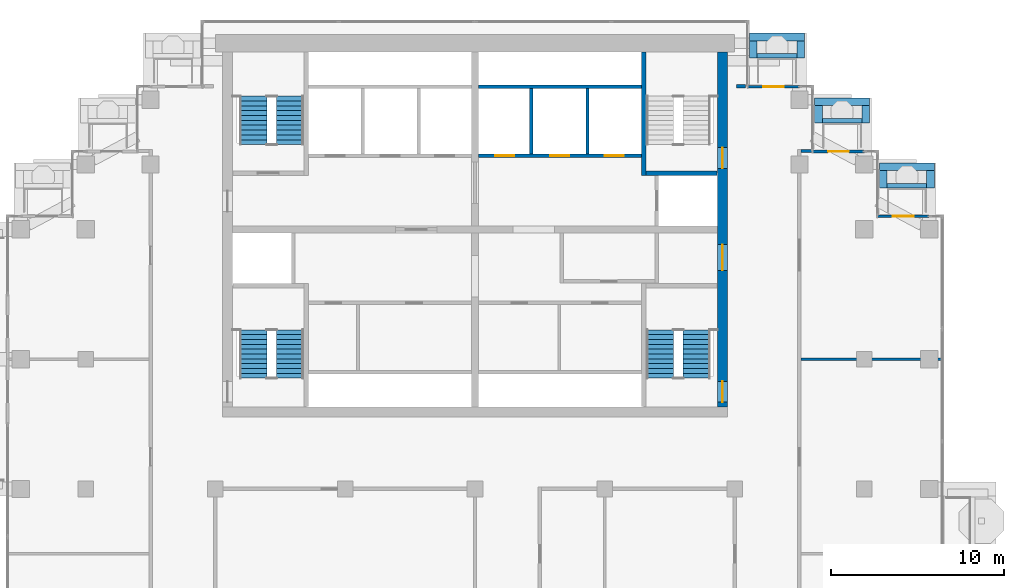
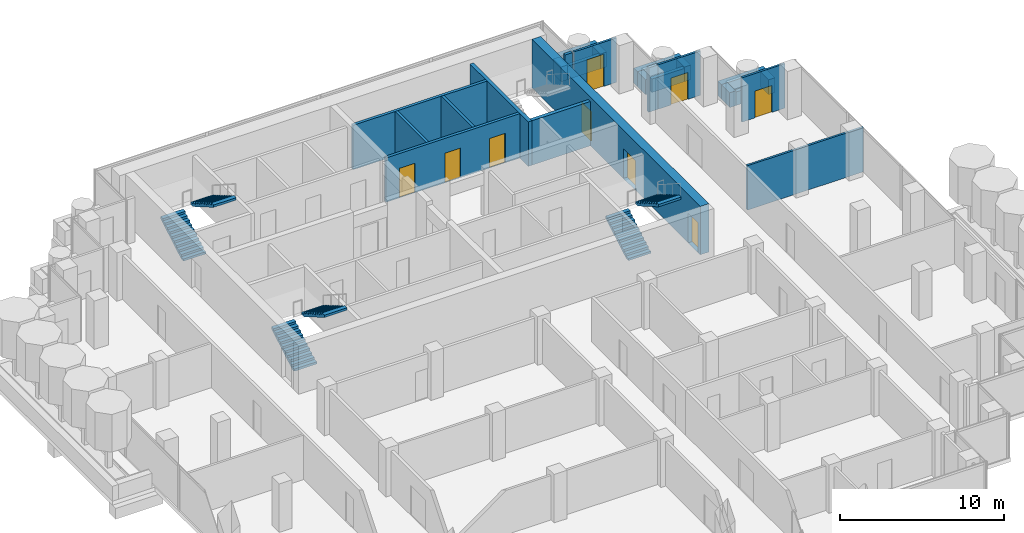
# One storey, part 14 of 18: 25 walls, 9 doors, 6 stair flights, 9 openings, 3 elements without a shape of their own.
"""IFC4 building model written with IfcOpenShell, lengths in metres."""

from ifc_helpers import new_model, si_unit, direction, frame, frame_2d, origin, place, context, subcontext, project, spatial, polyline, rectangle, outline, extrude, material, layer, layer_set, type_object, element, fill, aggregate, save


model = new_model("IFC4")

# Units and contexts
model_context = context("Model", 3, precision=1e-05, world=origin(), true_north=direction((0.0, 1.0)))
body_context = subcontext(model_context, "Body", "Model", "MODEL_VIEW")
ifc_project = project(units=[si_unit("LENGTHUNIT", "METRE"), si_unit("AREAUNIT", "SQUARE_METRE"), si_unit("VOLUMEUNIT", "CUBIC_METRE"), si_unit("PLANEANGLEUNIT", "RADIAN"), si_unit("MASSUNIT", "GRAM", prefix="KILO")], contexts=[model_context])

# Site, building, storey
site_placement = place(None, origin())
site = spatial("IfcSite", under=ifc_project, at=site_placement, CompositionType="ELEMENT")
building_placement = place(site_placement, origin())
building = spatial("IfcBuilding", under=site, at=building_placement, Name="Pilkhan Gate Tower", CompositionType="ELEMENT")
storey_placement = place(building_placement, frame((0.0, 0.0, 221.10009765625)))
storey = spatial("IfcBuildingStorey", under=building, at=storey_placement, Name="L57", CompositionType="ELEMENT", Elevation=221.10009765625)

# Walls
ifc_material_1 = material(Name="Concrete C40/50", Category="concrete")
ifc_layer_1 = layer(ifc_material_1, 0.25)
ifc_layer_set_1 = layer_set([ifc_layer_1], Name="Balcony planter BP250")
wall_type_1 = type_object("IfcWallType", Name="Balcony planter BP250", PredefinedType="USERDEFINED", material=ifc_layer_set_1)
wall_1_placement = place(storey_placement, frame((91.300048828125, 92.52490234375, 0.0), z_axis=(0.0, 0.0, 1.0), x_axis=(1.0, 0.0, 0.0)))
element("IfcWall", 1, at=wall_1_placement, inside=storey, type_object=wall_type_1, Name="Balcony planter L57 N", ObjectType="BALCONY PLANTER", PredefinedType="USERDEFINED", context=body_context, shape_type="SweptSolid", body=[
    extrude(rectangle(XDim=2.300048828125, YDim=0.25, at=frame_2d((1.14990234375, 0.0))), origin(), (0.0, 0.0, 1.0), 1.0),
])
for number, where, z_axis, x_axis, name in (
    (2, (95.070068359375, 88.77490234375, 0.0), (0.0, 0.0, 1.0), (1.0, 0.0, 0.0), "Balcony planter L57 N"),
    (3, (98.820068359375, 85.02490234375, 0.0), (0.0, 0.0, 1.0), (1.0, 0.0, 0.0), "Balcony planter L57 N"),
):
    element("IfcWall", number, at=place(storey_placement, frame(where, z_axis=z_axis, x_axis=x_axis)), inside=storey, type_object=wall_type_1, Name=name, ObjectType="BALCONY PLANTER", PredefinedType="USERDEFINED", context=body_context, shape_type="SweptSolid", body=[
        extrude(rectangle(XDim=2.280029296875, YDim=0.25, at=frame_2d((1.14013671875, 0.0))), origin(), (0.0, 0.0, 1.0), 1.0),
    ])
ifc_material_2 = material(Name="Board-marked Concrete C40/50", Category="concrete")
ifc_layer_2 = layer(ifc_material_2, 0.449951171875)
ifc_layer_set_2 = layer_set([ifc_layer_2], Name="Balcony planter lip BL450")
wall_type_2 = type_object("IfcWallType", Name="Balcony planter lip BL450", PredefinedType="USERDEFINED", material=ifc_layer_set_2)
wall_2_placement = place(storey_placement, frame((90.85009765625, 93.625, 0.0), z_axis=(0.0, 0.0, 1.0), x_axis=(1.0, 0.0, 0.0)))
element("IfcWall", 4, at=wall_2_placement, inside=storey, type_object=wall_type_2, Name="Balcony planter L57 N", ObjectType="BALCONY PLANTER", PredefinedType="USERDEFINED", context=body_context, shape_type="SweptSolid", body=[
    extrude(rectangle(XDim=3.199951171875, YDim=0.449951171875, at=frame_2d((1.60009765625, 0.0))), origin(), (0.0, 0.0, 1.0), 1.099853515625),
])
for number, where, z_axis, x_axis, name in (
    (5, (91.074951171875, 92.39990234375, 0.0), (0.0, 0.0, 1.0), (0.0, 1.0, 0.0), "Balcony planter L57 N"),
    (6, (93.824951171875, 92.39990234375, 0.0), (0.0, 0.0, 1.0), (0.0, 1.0, 0.0), "Balcony planter L57 N"),
):
    element("IfcWall", number, at=place(storey_placement, frame(where, z_axis=z_axis, x_axis=x_axis)), inside=storey, type_object=wall_type_2, Name=name, ObjectType="BALCONY PLANTER", PredefinedType="USERDEFINED", context=body_context, shape_type="SweptSolid", body=[
        extrude(rectangle(XDim=1.0, YDim=0.449951171875, at=frame_2d((0.5, 0.0))), origin(), (0.0, 0.0, 1.0), 1.099853515625),
    ])
wall_3_placement = place(storey_placement, frame((94.6201171875, 89.875, 0.0), z_axis=(0.0, 0.0, 1.0), x_axis=(1.0, 0.0, 0.0)))
element("IfcWall", 7, at=wall_3_placement, inside=storey, type_object=wall_type_2, Name="Balcony planter L57 N", ObjectType="BALCONY PLANTER", PredefinedType="USERDEFINED", context=body_context, shape_type="SweptSolid", body=[
    extrude(rectangle(XDim=3.179931640625, YDim=0.449951171875, at=frame_2d((1.58984375, 0.0))), origin(), (0.0, 0.0, 1.0), 1.099853515625),
])
for number, where, z_axis, x_axis, name in (
    (8, (94.844970703125, 88.64990234375, 0.0), (0.0, 0.0, 1.0), (0.0, 1.0, 0.0), "Balcony planter L57 N"),
    (9, (97.574951171875, 88.64990234375, 0.0), (0.0, 0.0, 1.0), (0.0, 1.0, 0.0), "Balcony planter L57 N"),
):
    element("IfcWall", number, at=place(storey_placement, frame(where, z_axis=z_axis, x_axis=x_axis)), inside=storey, type_object=wall_type_2, Name=name, ObjectType="BALCONY PLANTER", PredefinedType="USERDEFINED", context=body_context, shape_type="SweptSolid", body=[
        extrude(rectangle(XDim=1.0, YDim=0.449951171875, at=frame_2d((0.5, 0.0))), origin(), (0.0, 0.0, 1.0), 1.099853515625),
    ])
wall_4_placement = place(storey_placement, frame((98.3701171875, 86.125, 0.0), z_axis=(0.0, 0.0, 1.0), x_axis=(1.0, 0.0, 0.0)))
element("IfcWall", 10, at=wall_4_placement, inside=storey, type_object=wall_type_2, Name="Balcony planter L57 N", ObjectType="BALCONY PLANTER", PredefinedType="USERDEFINED", context=body_context, shape_type="SweptSolid", body=[
    extrude(rectangle(XDim=3.179931640625, YDim=0.449951171875, at=frame_2d((1.58984375, 0.0))), origin(), (0.0, 0.0, 1.0), 1.099853515625),
])
for number, where, z_axis, x_axis, name in (
    (11, (98.594970703125, 84.89990234375, 0.0), (0.0, 0.0, 1.0), (0.0, 1.0, 0.0), "Balcony planter L57 N"),
    (12, (101.324951171875, 84.89990234375, 0.0), (0.0, 0.0, 1.0), (0.0, 1.0, 0.0), "Balcony planter L57 N"),
):
    element("IfcWall", number, at=place(storey_placement, frame(where, z_axis=z_axis, x_axis=x_axis)), inside=storey, type_object=wall_type_2, Name=name, ObjectType="BALCONY PLANTER", PredefinedType="USERDEFINED", context=body_context, shape_type="SweptSolid", body=[
        extrude(rectangle(XDim=1.0, YDim=0.449951171875, at=frame_2d((0.5, 0.0))), origin(), (0.0, 0.0, 1.0), 1.099853515625),
    ])

# Wall, openings, doors
ifc_material_3 = material(Name="Concrete C50/60", Category="concrete")
ifc_layer_3 = layer(ifc_material_3, 0.60009765625)
ifc_layer_set_3 = layer_set([ifc_layer_3], Name="Core wall CW600 C50/60")
wall_type_3 = type_object("IfcWallType", Name="Core wall CW600 C50/60", PredefinedType="SHEAR", material=ifc_layer_set_3)
wall_5_placement = place(storey_placement, frame((89.300048828125, 72.25, 0.0), z_axis=(0.0, 0.0, 1.0), x_axis=(0.0, 1.0, 0.0)))
wall_5 = element("IfcWall", 13, at=wall_5_placement, inside=storey, type_object=wall_type_3, Name="Core wall E L57", PredefinedType="SHEAR", context=body_context, shape_type="SweptSolid", body=[
    extrude(rectangle(XDim=20.5, YDim=0.60009765625, at=frame_2d((10.25, 0.0))), origin(), (0.0, 0.0, 1.0), 3.599853515625),
])
opening_1_placement = place(wall_5_placement, frame((0.27490234375, 0.0, 0.0)))
opening_1 = element("IfcOpeningElement", 14, at=opening_1_placement, cuts=wall_5, Name="Opening L57-03", PredefinedType="OPENING", context=body_context, shape_type="SweptSolid", body=[
    extrude(rectangle(XDim=1.199951171875, YDim=2.199951171875, at=frame_2d((0.60009765625, 1.10009765625))), frame((0.0, 0.31005859375, 0.0), z_axis=(0.0, -1.0, 0.0), x_axis=(1.0, 0.0, 0.0)), (0.0, 0.0, 1.0), 0.6201171875),
])
opening_2_placement = place(wall_5_placement, frame((13.77490234375, 0.0, 0.0)))
opening_2 = element("IfcOpeningElement", 15, at=opening_2_placement, cuts=wall_5, Name="Opening L57-05", PredefinedType="OPENING", context=body_context, shape_type="SweptSolid", body=[
    extrude(rectangle(XDim=1.199951171875, YDim=2.199951171875, at=frame_2d((0.60009765625, 1.10009765625))), frame((0.0, 0.31005859375, 0.0), z_axis=(0.0, -1.0, 0.0), x_axis=(1.0, 0.0, 0.0)), (0.0, 0.0, 1.0), 0.6201171875),
])
opening_3_placement = place(wall_5_placement, frame((7.875, 0.0, 0.0)))
opening_3 = element("IfcOpeningElement", 16, at=opening_3_placement, cuts=wall_5, Name="Opening L57-06", PredefinedType="OPENING", context=body_context, shape_type="SweptSolid", body=[
    extrude(rectangle(XDim=1.5, YDim=2.199951171875, at=frame_2d((0.75, 1.10009765625))), frame((0.0, 0.31005859375, 0.0), z_axis=(0.0, -1.0, 0.0), x_axis=(1.0, 0.0, 0.0)), (0.0, 0.0, 1.0), 0.6201171875),
])
ifc_material_4 = material(Name="Steel framed glazed door, 60 minute fire resisting", Category="steel")
door_type_1 = type_object("IfcDoorType", Name="Lobby door D09 1500x2200", OperationType="DOUBLE_DOOR_SINGLE_SWING", PredefinedType="DOOR", material=ifc_material_4)
door_1_placement = place(opening_3_placement, origin())
door_1 = element("IfcDoor", 17, at=door_1_placement, inside=storey, type_object=door_type_1, Name="Core door", OperationType="DOUBLE_DOOR_SINGLE_SWING", OverallHeight=2.199951171875, OverallWidth=1.5, PredefinedType="DOOR", context=body_context, shape_type="SweptSolid", body=[
    extrude(rectangle(XDim=1.5, YDim=2.199951171875, at=frame_2d((0.75, 1.10009765625))), frame((0.0, 0.02490234375, 0.0), z_axis=(0.0, -1.0, 0.0), x_axis=(1.0, 0.0, 0.0)), (0.0, 0.0, 1.0), 0.050048828125),
])
fill(opening_3, door_1)
ifc_material_5 = material(Name="Steel door, 120 minute fire resisting, panic bar", Category="steel")
door_type_2 = type_object("IfcDoorType", Name="Stair door D11 1200x2200", OperationType="SINGLE_SWING_LEFT", PredefinedType="DOOR", material=ifc_material_5)
door_2_placement = place(opening_1_placement, origin())
door_2 = element("IfcDoor", 18, at=door_2_placement, inside=storey, type_object=door_type_2, Name="Stair ST1 door", OperationType="SINGLE_SWING_RIGHT", OverallHeight=2.199951171875, OverallWidth=1.199951171875, PredefinedType="DOOR", context=body_context, shape_type="SweptSolid", body=[
    extrude(rectangle(XDim=1.199951171875, YDim=2.199951171875, at=frame_2d((0.60009765625, 1.10009765625))), frame((0.0, 0.02490234375, 0.0), z_axis=(0.0, -1.0, 0.0), x_axis=(1.0, 0.0, 0.0)), (0.0, 0.0, 1.0), 0.050048828125),
])
fill(opening_1, door_2)
door_3_placement = place(opening_2_placement, origin())
door_3 = element("IfcDoor", 19, at=door_3_placement, inside=storey, type_object=door_type_2, Name="Stair ST4 door", OperationType="SINGLE_SWING_LEFT", OverallHeight=2.199951171875, OverallWidth=1.199951171875, PredefinedType="DOOR", context=body_context, shape_type="SweptSolid", body=[
    extrude(rectangle(XDim=1.199951171875, YDim=2.199951171875, at=frame_2d((0.60009765625, 1.10009765625))), frame((0.0, 0.02490234375, 0.0), z_axis=(0.0, -1.0, 0.0), x_axis=(1.0, 0.0, 0.0)), (0.0, 0.0, 1.0), 0.050048828125),
])
fill(opening_2, door_3)

# Walls
ifc_material_6 = material(Name="Dense blockwork", Category="masonry")
ifc_layer_4 = layer(ifc_material_6, 0.199951171875)
ifc_layer_set_4 = layer_set([ifc_layer_4], Name="Corridor wall FW200")
wall_type_4 = type_object("IfcWallType", Name="Corridor wall FW200", PredefinedType="PARTITIONING", material=ifc_layer_set_4)
wall_6_placement = place(storey_placement, frame((93.85009765625, 87.030029296875, 0.0), z_axis=(0.0, 0.0, 1.0), x_axis=(1.0, 0.0, 0.0)))
element("IfcWall", 20, at=wall_6_placement, inside=storey, type_object=wall_type_4, Name="Partition L57", PredefinedType="PARTITIONING", context=body_context, shape_type="SweptSolid", body=[
    extrude(rectangle(XDim=0.639892578125, YDim=0.199951171875, at=frame_2d((0.31982421875, 0.0))), origin(), (0.0, 0.0, 1.0), 3.2998046875),
])
wall_7_placement = place(storey_placement, frame((90.1201171875, 90.764892578125, 0.0), z_axis=(0.0, 0.0, 1.0), x_axis=(1.0, 0.0, 0.0)))
element("IfcWall", 21, at=wall_7_placement, inside=storey, type_object=wall_type_4, Name="Partition L57", PredefinedType="PARTITIONING", context=body_context, shape_type="SweptSolid", body=[
    extrude(rectangle(XDim=0.52490234375, YDim=0.199951171875, at=frame_2d((0.262451171875, 0.0))), origin(), (0.0, 0.0, 1.0), 3.2998046875),
])

# Wall, opening, door
ifc_material_7 = material(Name="Pale anodised aluminium, clear laminated glazing", Category="aluminium")
ifc_layer_5 = layer(ifc_material_7, 0.14990234375)
ifc_layer_set_5 = layer_set([ifc_layer_5], Name="Facade infill wall IW150")
wall_type_5 = type_object("IfcWallType", Name="Facade infill wall IW150", PredefinedType="SOLIDWALL", material=ifc_layer_set_5)
wall_8_placement = place(storey_placement, frame((98.25, 83.25, 0.0), z_axis=(0.0, 0.0, 1.0), x_axis=(1.0, 0.0, 0.0)))
wall_8 = element("IfcWall", 22, at=wall_8_placement, inside=storey, type_object=wall_type_5, Name="Infill wall L57 N", PredefinedType="SOLIDWALL", context=body_context, shape_type="SweptSolid", body=[
    extrude(rectangle(XDim=3.0, YDim=0.14990234375, at=frame_2d((1.5, 0.0))), origin(), (0.0, 0.0, 1.0), 3.2998046875),
])
opening_4_placement = place(wall_8_placement, frame((0.89990234375, 0.0, 0.0)))
opening_4 = element("IfcOpeningElement", 23, at=opening_4_placement, cuts=wall_8, Name="Opening D1L", PredefinedType="OPENING", context=body_context, shape_type="SweptSolid", body=[
    extrude(rectangle(XDim=1.199951171875, YDim=2.0, at=frame_2d((0.60009765625, 1.0))), frame((0.0, 0.0849609375, 0.0), z_axis=(0.0, -1.0, 0.0), x_axis=(1.0, 0.0, 0.0)), (0.0, 0.0, 1.0), 0.169921875),
])
ifc_material_8 = material(Name="Pale anodised aluminium, clear glazing", Category="aluminium")
door_type_3 = type_object("IfcDoorType", Name="Balcony door D1L 1200x2000", OperationType="SINGLE_SWING_LEFT", PredefinedType="DOOR", material=ifc_material_8)
door_4_placement = place(opening_4_placement, origin())
door_4 = element("IfcDoor", 24, at=door_4_placement, inside=storey, type_object=door_type_3, Name="Balcony door L57", OperationType="SINGLE_SWING_LEFT", OverallHeight=2.0, OverallWidth=1.199951171875, PredefinedType="DOOR", context=body_context, shape_type="SweptSolid", body=[
    extrude(rectangle(XDim=1.199951171875, YDim=2.0, at=frame_2d((0.60009765625, 1.0))), frame((0.0, 0.02490234375, 0.0), z_axis=(0.0, -1.0, 0.0), x_axis=(1.0, 0.0, 0.0)), (0.0, 0.0, 1.0), 0.050048828125),
])
fill(opening_4, door_4)

wall_9_placement = place(storey_placement, frame((94.5, 87.0, 0.0), z_axis=(0.0, 0.0, 1.0), x_axis=(1.0, 0.0, 0.0)))
wall_9 = element("IfcWall", 25, at=wall_9_placement, inside=storey, type_object=wall_type_5, Name="Infill wall L57 N", PredefinedType="SOLIDWALL", context=body_context, shape_type="SweptSolid", body=[
    extrude(rectangle(XDim=3.0, YDim=0.14990234375, at=frame_2d((1.5, 0.0))), origin(), (0.0, 0.0, 1.0), 3.2998046875),
])
opening_5_placement = place(wall_9_placement, frame((0.89990234375, 0.0, 0.0)))
opening_5 = element("IfcOpeningElement", 26, at=opening_5_placement, cuts=wall_9, Name="Opening D1L", PredefinedType="OPENING", context=body_context, shape_type="SweptSolid", body=[
    extrude(rectangle(XDim=1.199951171875, YDim=2.0, at=frame_2d((0.60009765625, 1.0))), frame((0.0, 0.0849609375, 0.0), z_axis=(0.0, -1.0, 0.0), x_axis=(1.0, 0.0, 0.0)), (0.0, 0.0, 1.0), 0.169921875),
])
door_5_placement = place(opening_5_placement, origin())
door_5 = element("IfcDoor", 27, at=door_5_placement, inside=storey, type_object=door_type_3, Name="Balcony door L57", OperationType="SINGLE_SWING_LEFT", OverallHeight=2.0, OverallWidth=1.199951171875, PredefinedType="DOOR", context=body_context, shape_type="SweptSolid", body=[
    extrude(rectangle(XDim=1.199951171875, YDim=2.0, at=frame_2d((0.60009765625, 1.0))), frame((0.0, 0.02490234375, 0.0), z_axis=(0.0, -1.0, 0.0), x_axis=(1.0, 0.0, 0.0)), (0.0, 0.0, 1.0), 0.050048828125),
])
fill(opening_5, door_5)

wall_10_placement = place(storey_placement, frame((90.75, 90.75, 0.0), z_axis=(0.0, 0.0, 1.0), x_axis=(1.0, 0.0, 0.0)))
wall_10 = element("IfcWall", 28, at=wall_10_placement, inside=storey, type_object=wall_type_5, Name="Infill wall L57 N", PredefinedType="SOLIDWALL", context=body_context, shape_type="SweptSolid", body=[
    extrude(rectangle(XDim=3.0, YDim=0.14990234375, at=frame_2d((1.5, 0.0))), origin(), (0.0, 0.0, 1.0), 3.2998046875),
])
opening_6_placement = place(wall_10_placement, frame((0.89990234375, 0.0, 0.0)))
opening_6 = element("IfcOpeningElement", 29, at=opening_6_placement, cuts=wall_10, Name="Opening D1", PredefinedType="OPENING", context=body_context, shape_type="SweptSolid", body=[
    extrude(rectangle(XDim=1.199951171875, YDim=2.39990234375, at=frame_2d((0.60009765625, 1.199951171875))), frame((0.0, 0.0849609375, 0.0), z_axis=(0.0, -1.0, 0.0), x_axis=(1.0, 0.0, 0.0)), (0.0, 0.0, 1.0), 0.169921875),
])
door_type_4 = type_object("IfcDoorType", Name="Balcony door D1 1200x2400", OperationType="SINGLE_SWING_LEFT", PredefinedType="DOOR", material=ifc_material_8)
door_6_placement = place(opening_6_placement, origin())
door_6 = element("IfcDoor", 30, at=door_6_placement, inside=storey, type_object=door_type_4, Name="Balcony door L57", OperationType="SINGLE_SWING_LEFT", OverallHeight=2.39990234375, OverallWidth=1.199951171875, PredefinedType="DOOR", context=body_context, shape_type="SweptSolid", body=[
    extrude(rectangle(XDim=1.199951171875, YDim=2.39990234375, at=frame_2d((0.60009765625, 1.199951171875))), frame((0.0, 0.02490234375, 0.0), z_axis=(0.0, -1.0, 0.0), x_axis=(1.0, 0.0, 0.0)), (0.0, 0.0, 1.0), 0.050048828125),
])
fill(opening_6, door_6)

# Wall
ifc_material_9 = material(Name="Blockwork partition, plastered both sides", Category="masonry")
ifc_layer_6 = layer(ifc_material_9, 0.14990234375)
ifc_layer_set_6 = layer_set([ifc_layer_6], Name="Partition PW150")
wall_type_6 = type_object("IfcWallType", Name="Partition PW150", PredefinedType="PARTITIONING", material=ifc_layer_set_6)
wall_11_placement = place(storey_placement, frame((93.85009765625, 75.0, 0.0), z_axis=(0.0, 0.0, 1.0), x_axis=(1.0, 0.0, 0.0)))
element("IfcWall", 31, at=wall_11_placement, inside=storey, type_object=wall_type_6, Name="Partition L57", PredefinedType="PARTITIONING", context=body_context, shape_type="SweptSolid", body=[
    extrude(rectangle(XDim=8.164794921875, YDim=0.14990234375, at=frame_2d((4.08251953125, 0.0))), origin(), (0.0, 0.0, 1.0), 3.2998046875),
])

# Wall, openings, doors
ifc_material_10 = material(Name="Reinforced blockwork shaft wall, 120 minute fire resisting", Category="masonry")
ifc_layer_7 = layer(ifc_material_10, 0.199951171875)
ifc_layer_set_7 = layer_set([ifc_layer_7], Name="Shaft wall SW200")
wall_type_7 = type_object("IfcWallType", Name="Shaft wall SW200", PredefinedType="PARTITIONING", material=ifc_layer_set_7)
wall_12_placement = place(storey_placement, frame((75.2099609375, 86.75, 0.0), z_axis=(0.0, 0.0, 1.0), x_axis=(1.0, 0.0, 0.0)))
wall_12 = element("IfcWall", 32, at=wall_12_placement, inside=storey, type_object=wall_type_7, Name="Partition L57", PredefinedType="PARTITIONING", context=body_context, shape_type="SweptSolid", body=[
    extrude(rectangle(XDim=9.4150390625, YDim=0.199951171875, at=frame_2d((4.70751953125, 0.0))), origin(), (0.0, 0.0, 1.0), 3.2998046875),
])
opening_7_placement = place(wall_12_placement, frame((0.949951171875, 0.0, 0.0)))
opening_7 = element("IfcOpeningElement", 33, at=opening_7_placement, cuts=wall_12, Name="Opening LD", PredefinedType="OPENING", context=body_context, shape_type="SweptSolid", body=[
    extrude(rectangle(XDim=1.10009765625, YDim=2.199951171875, at=frame_2d((0.550048828125, 1.10009765625))), frame((0.0, 0.10986328125, 0.0), z_axis=(0.0, -1.0, 0.0), x_axis=(1.0, 0.0, 0.0)), (0.0, 0.0, 1.0), 0.219970703125),
])
opening_8_placement = place(wall_12_placement, frame((4.139892578125, 0.0, 0.0)))
opening_8 = element("IfcOpeningElement", 34, at=opening_8_placement, cuts=wall_12, Name="Opening LD", PredefinedType="OPENING", context=body_context, shape_type="SweptSolid", body=[
    extrude(rectangle(XDim=1.10009765625, YDim=2.199951171875, at=frame_2d((0.550048828125, 1.10009765625))), frame((0.0, 0.10986328125, 0.0), z_axis=(0.0, -1.0, 0.0), x_axis=(1.0, 0.0, 0.0)), (0.0, 0.0, 1.0), 0.219970703125),
])
opening_9_placement = place(wall_12_placement, frame((7.2900390625, 0.0, 0.0)))
opening_9 = element("IfcOpeningElement", 35, at=opening_9_placement, cuts=wall_12, Name="Opening LD", PredefinedType="OPENING", context=body_context, shape_type="SweptSolid", body=[
    extrude(rectangle(XDim=1.10009765625, YDim=2.199951171875, at=frame_2d((0.550048828125, 1.10009765625))), frame((0.0, 0.10986328125, 0.0), z_axis=(0.0, -1.0, 0.0), x_axis=(1.0, 0.0, 0.0)), (0.0, 0.0, 1.0), 0.219970703125),
])
ifc_material_11 = material(Name="Stainless steel centre-opening landing door, 120 minute fire resisting", Category="steel")
door_type_5 = type_object("IfcDoorType", Name="Lift landing door LD 1100x2200", OperationType="DOUBLE_DOOR_SLIDING", PredefinedType="DOOR", material=ifc_material_11)
door_7_placement = place(opening_7_placement, origin())
door_7 = element("IfcDoor", 36, at=door_7_placement, inside=storey, type_object=door_type_5, Name="Landing door HR1", OperationType="DOUBLE_DOOR_SLIDING", OverallHeight=2.199951171875, OverallWidth=1.10009765625, PredefinedType="DOOR", context=body_context, shape_type="SweptSolid", body=[
    extrude(rectangle(XDim=1.10009765625, YDim=2.199951171875, at=frame_2d((0.550048828125, 1.10009765625))), frame((0.0, 0.02490234375, 0.0), z_axis=(0.0, -1.0, 0.0), x_axis=(1.0, 0.0, 0.0)), (0.0, 0.0, 1.0), 0.050048828125),
])
fill(opening_7, door_7)
door_8_placement = place(opening_8_placement, origin())
door_8 = element("IfcDoor", 37, at=door_8_placement, inside=storey, type_object=door_type_5, Name="Landing door HR2", OperationType="DOUBLE_DOOR_SLIDING", OverallHeight=2.199951171875, OverallWidth=1.10009765625, PredefinedType="DOOR", context=body_context, shape_type="SweptSolid", body=[
    extrude(rectangle(XDim=1.10009765625, YDim=2.199951171875, at=frame_2d((0.550048828125, 1.10009765625))), frame((0.0, 0.02490234375, 0.0), z_axis=(0.0, -1.0, 0.0), x_axis=(1.0, 0.0, 0.0)), (0.0, 0.0, 1.0), 0.050048828125),
])
fill(opening_8, door_8)
door_9_placement = place(opening_9_placement, origin())
door_9 = element("IfcDoor", 38, at=door_9_placement, inside=storey, type_object=door_type_5, Name="Landing door HR3", OperationType="DOUBLE_DOOR_SLIDING", OverallHeight=2.199951171875, OverallWidth=1.10009765625, PredefinedType="DOOR", context=body_context, shape_type="SweptSolid", body=[
    extrude(rectangle(XDim=1.10009765625, YDim=2.199951171875, at=frame_2d((0.550048828125, 1.10009765625))), frame((0.0, 0.02490234375, 0.0), z_axis=(0.0, -1.0, 0.0), x_axis=(1.0, 0.0, 0.0)), (0.0, 0.0, 1.0), 0.050048828125),
])
fill(opening_9, door_9)

# Walls
wall_13_placement = place(storey_placement, frame((75.2099609375, 90.75, 0.0), z_axis=(0.0, 0.0, 1.0), x_axis=(1.0, 0.0, 0.0)))
element("IfcWall", 39, at=wall_13_placement, inside=storey, type_object=wall_type_7, Name="Partition L57", PredefinedType="PARTITIONING", context=body_context, shape_type="SweptSolid", body=[
    extrude(rectangle(XDim=9.4150390625, YDim=0.199951171875, at=frame_2d((4.70751953125, 0.0))), origin(), (0.0, 0.0, 1.0), 3.2998046875),
])
for number, where, z_axis, x_axis, name in (
    (40, (78.25, 86.85009765625, 0.0), (0.0, 0.0, 1.0), (0.0, 1.0, 0.0), "Partition L57"),
    (41, (81.5, 86.85009765625, 0.0), (0.0, 0.0, 1.0), (0.0, 1.0, 0.0), "Partition L57"),
):
    element("IfcWall", number, at=place(storey_placement, frame(where, z_axis=z_axis, x_axis=x_axis)), inside=storey, type_object=wall_type_7, Name=name, PredefinedType="PARTITIONING", context=body_context, shape_type="SweptSolid", body=[
        extrude(rectangle(XDim=3.7998046875, YDim=0.199951171875, at=frame_2d((1.89990234375, 0.0))), origin(), (0.0, 0.0, 1.0), 3.2998046875),
    ])
ifc_material_12 = material(Name="Reinforced blockwork, 120 minute fire resisting", Category="masonry")
ifc_layer_8 = layer(ifc_material_12, 0.25)
ifc_layer_set_8 = layer_set([ifc_layer_8], Name="Stair enclosure wall SE250")
wall_type_8 = type_object("IfcWallType", Name="Stair enclosure wall SE250", PredefinedType="PARTITIONING", material=ifc_layer_set_8)
wall_14_placement = place(storey_placement, frame((84.875, 85.75, 0.0), z_axis=(0.0, 0.0, 1.0), x_axis=(1.0, 0.0, 0.0)))
element("IfcWall", 42, at=wall_14_placement, inside=storey, type_object=wall_type_8, Name="Partition L57", PredefinedType="PARTITIONING", context=body_context, shape_type="SweptSolid", body=[
    extrude(rectangle(XDim=4.114990234375, YDim=0.25, at=frame_2d((2.0576171875, 0.0))), origin(), (0.0, 0.0, 1.0), 3.2998046875),
])
wall_15_placement = place(storey_placement, frame((84.75, 85.625, 0.0), z_axis=(0.0, 0.0, 1.0), x_axis=(0.0, 1.0, 0.0)))
element("IfcWall", 43, at=wall_15_placement, inside=storey, type_object=wall_type_8, Name="Partition L57", PredefinedType="PARTITIONING", context=body_context, shape_type="SweptSolid", body=[
    extrude(rectangle(XDim=7.114990234375, YDim=0.25, at=frame_2d((3.5576171875, 0.0))), origin(), (0.0, 0.0, 1.0), 3.2998046875),
])

# Stair, stair flights
ifc_material_13 = material(Name="Concrete C40/50 precast", Category="concrete")
stair_type_1 = type_object("IfcStairType", Name="Stair ST1 164x280", PredefinedType="HALF_TURN_STAIR", material=ifc_material_13)
stair_1_placement = place(storey_placement, origin())
stair_1 = element("IfcStair", 44, at=stair_1_placement, inside=storey, type_object=stair_type_1, Name="Stair ST1 L57", PredefinedType="HALF_TURN_STAIR")
stair_flight_type_1 = type_object("IfcStairFlightType", Name="Stair flight ST1 164x280x11", PredefinedType="STRAIGHT", material=ifc_material_13)
stair_flight_1_placement = place(storey_placement, frame((85.68994140625, 73.89990234375, 0.0), z_axis=(0.0, 0.0, 1.0), x_axis=(0.0, 1.0, 0.0)))
stair_flight_1 = element("IfcStairFlight", 45, at=stair_flight_1_placement, type_object=stair_flight_type_1, Name="ST1 flight 1", NumberOfRisers=11, NumberOfTreads=10, PredefinedType="STRAIGHT", RiserHeight=0.163636364, TreadLength=0.28, context=body_context, shape_type="SweptSolid", body=[
    extrude(outline(polyline([(0.0, 0.0), (0.0, 0.16357421875), (0.280029296875, 0.16357421875), (0.280029296875, 0.327392578125), (0.56005859375, 0.327392578125), (0.56005859375, 0.490966796875), (0.840087890625, 0.490966796875), (0.840087890625, 0.654541015625), (1.1201171875, 0.654541015625), (1.1201171875, 0.818115234375), (1.39990234375, 0.818115234375), (1.39990234375, 0.98193359375), (1.679931640625, 0.98193359375), (1.679931640625, 1.1455078125), (1.9599609375, 1.1455078125), (1.9599609375, 1.30908203125), (2.239990234375, 1.30908203125), (2.239990234375, 1.47265625), (2.52001953125, 1.47265625), (2.52001953125, 1.636474609375), (2.800048828125, 1.636474609375), (2.800048828125, 1.800048828125), (2.800048828125, 1.462646484375), (0.297119140625, 0.0), (0.0, 0.0)])), frame((0.0, 0.7900390625, 0.0), z_axis=(0.0, -1.0, 0.0), x_axis=(1.0, 0.0, 0.0)), (0.0, 0.0, 1.0), 1.580078125),
])
stair_flight_2_placement = place(storey_placement, frame((87.81005859375, 76.699951171875, 1.7998046875), z_axis=(0.0, 0.0, 1.0), x_axis=(0.0, -1.0, 0.0)))
stair_flight_2 = element("IfcStairFlight", 46, at=stair_flight_2_placement, type_object=stair_flight_type_1, Name="ST1 flight 2", NumberOfRisers=11, NumberOfTreads=10, PredefinedType="STRAIGHT", RiserHeight=0.163636364, TreadLength=0.28, context=body_context, shape_type="SweptSolid", body=[
    extrude(outline(polyline([(0.0, 0.0), (0.0, 0.16357421875), (0.280029296875, 0.16357421875), (0.280029296875, 0.327392578125), (0.56005859375, 0.327392578125), (0.56005859375, 0.490966796875), (0.840087890625, 0.490966796875), (0.840087890625, 0.654541015625), (1.1201171875, 0.654541015625), (1.1201171875, 0.818115234375), (1.39990234375, 0.818115234375), (1.39990234375, 0.98193359375), (1.679931640625, 0.98193359375), (1.679931640625, 1.1455078125), (1.9599609375, 1.1455078125), (1.9599609375, 1.30908203125), (2.239990234375, 1.30908203125), (2.239990234375, 1.47265625), (2.52001953125, 1.47265625), (2.52001953125, 1.636474609375), (2.800048828125, 1.636474609375), (2.800048828125, 1.800048828125), (2.800048828125, 1.462646484375), (0.297119140625, 0.0), (0.0, 0.0)])), frame((0.0, 0.7900390625, 0.0), z_axis=(0.0, -1.0, 0.0), x_axis=(1.0, 0.0, 0.0)), (0.0, 0.0, 1.0), 1.580078125),
])
aggregate(stair_1, [stair_flight_1, stair_flight_2])

stair_type_2 = type_object("IfcStairType", Name="Stair ST2 164x280", PredefinedType="HALF_TURN_STAIR", material=ifc_material_13)
stair_2_placement = place(storey_placement, origin())
stair_2 = element("IfcStair", 47, at=stair_2_placement, inside=storey, type_object=stair_type_2, Name="Stair ST2 L57", PredefinedType="HALF_TURN_STAIR")
stair_flight_type_2 = type_object("IfcStairFlightType", Name="Stair flight ST2 164x280x11", PredefinedType="STRAIGHT", material=ifc_material_13)
stair_flight_3_placement = place(storey_placement, frame((62.18994140625, 73.89990234375, 0.0), z_axis=(0.0, 0.0, 1.0), x_axis=(0.0, 1.0, 0.0)))
stair_flight_3 = element("IfcStairFlight", 48, at=stair_flight_3_placement, type_object=stair_flight_type_2, Name="ST2 flight 1", NumberOfRisers=11, NumberOfTreads=10, PredefinedType="STRAIGHT", RiserHeight=0.163636364, TreadLength=0.28, context=body_context, shape_type="SweptSolid", body=[
    extrude(outline(polyline([(0.0, 0.0), (0.0, 0.16357421875), (0.280029296875, 0.16357421875), (0.280029296875, 0.327392578125), (0.56005859375, 0.327392578125), (0.56005859375, 0.490966796875), (0.840087890625, 0.490966796875), (0.840087890625, 0.654541015625), (1.1201171875, 0.654541015625), (1.1201171875, 0.818115234375), (1.39990234375, 0.818115234375), (1.39990234375, 0.98193359375), (1.679931640625, 0.98193359375), (1.679931640625, 1.1455078125), (1.9599609375, 1.1455078125), (1.9599609375, 1.30908203125), (2.239990234375, 1.30908203125), (2.239990234375, 1.47265625), (2.52001953125, 1.47265625), (2.52001953125, 1.636474609375), (2.800048828125, 1.636474609375), (2.800048828125, 1.800048828125), (2.800048828125, 1.462646484375), (0.297119140625, 0.0), (0.0, 0.0)])), frame((0.0, 0.7900390625, 0.0), z_axis=(0.0, -1.0, 0.0), x_axis=(1.0, 0.0, 0.0)), (0.0, 0.0, 1.0), 1.580078125),
])
stair_flight_4_placement = place(storey_placement, frame((64.31005859375, 76.699951171875, 1.7998046875), z_axis=(0.0, 0.0, 1.0), x_axis=(0.0, -1.0, 0.0)))
stair_flight_4 = element("IfcStairFlight", 49, at=stair_flight_4_placement, type_object=stair_flight_type_2, Name="ST2 flight 2", NumberOfRisers=11, NumberOfTreads=10, PredefinedType="STRAIGHT", RiserHeight=0.163636364, TreadLength=0.28, context=body_context, shape_type="SweptSolid", body=[
    extrude(outline(polyline([(0.0, 0.0), (0.0, 0.16357421875), (0.280029296875, 0.16357421875), (0.280029296875, 0.327392578125), (0.56005859375, 0.327392578125), (0.56005859375, 0.490966796875), (0.840087890625, 0.490966796875), (0.840087890625, 0.654541015625), (1.1201171875, 0.654541015625), (1.1201171875, 0.818115234375), (1.39990234375, 0.818115234375), (1.39990234375, 0.98193359375), (1.679931640625, 0.98193359375), (1.679931640625, 1.1455078125), (1.9599609375, 1.1455078125), (1.9599609375, 1.30908203125), (2.239990234375, 1.30908203125), (2.239990234375, 1.47265625), (2.52001953125, 1.47265625), (2.52001953125, 1.636474609375), (2.800048828125, 1.636474609375), (2.800048828125, 1.800048828125), (2.800048828125, 1.462646484375), (0.297119140625, 0.0), (0.0, 0.0)])), frame((0.0, 0.7900390625, 0.0), z_axis=(0.0, -1.0, 0.0), x_axis=(1.0, 0.0, 0.0)), (0.0, 0.0, 1.0), 1.580078125),
])
aggregate(stair_2, [stair_flight_3, stair_flight_4])

stair_type_3 = type_object("IfcStairType", Name="Stair ST3 164x280", PredefinedType="HALF_TURN_STAIR", material=ifc_material_13)
stair_3_placement = place(storey_placement, origin())
stair_3 = element("IfcStair", 50, at=stair_3_placement, inside=storey, type_object=stair_type_3, Name="Stair ST3 L57", PredefinedType="HALF_TURN_STAIR")
stair_flight_type_3 = type_object("IfcStairFlightType", Name="Stair flight ST3 164x280x11", PredefinedType="STRAIGHT", material=ifc_material_13)
stair_flight_5_placement = place(storey_placement, frame((62.18994140625, 87.39990234375, 0.0), z_axis=(0.0, 0.0, 1.0), x_axis=(0.0, 1.0, 0.0)))
stair_flight_5 = element("IfcStairFlight", 51, at=stair_flight_5_placement, type_object=stair_flight_type_3, Name="ST3 flight 1", NumberOfRisers=11, NumberOfTreads=10, PredefinedType="STRAIGHT", RiserHeight=0.163636364, TreadLength=0.28, context=body_context, shape_type="SweptSolid", body=[
    extrude(outline(polyline([(0.0, 0.0), (0.0, 0.16357421875), (0.280029296875, 0.16357421875), (0.280029296875, 0.327392578125), (0.56005859375, 0.327392578125), (0.56005859375, 0.490966796875), (0.840087890625, 0.490966796875), (0.840087890625, 0.654541015625), (1.1201171875, 0.654541015625), (1.1201171875, 0.818115234375), (1.39990234375, 0.818115234375), (1.39990234375, 0.98193359375), (1.679931640625, 0.98193359375), (1.679931640625, 1.1455078125), (1.9599609375, 1.1455078125), (1.9599609375, 1.30908203125), (2.239990234375, 1.30908203125), (2.239990234375, 1.47265625), (2.52001953125, 1.47265625), (2.52001953125, 1.636474609375), (2.800048828125, 1.636474609375), (2.800048828125, 1.800048828125), (2.800048828125, 1.462646484375), (0.297119140625, 0.0), (0.0, 0.0)])), frame((0.0, 0.7900390625, 0.0), z_axis=(0.0, -1.0, 0.0), x_axis=(1.0, 0.0, 0.0)), (0.0, 0.0, 1.0), 1.580078125),
])
stair_flight_6_placement = place(storey_placement, frame((64.31005859375, 90.199951171875, 1.7998046875), z_axis=(0.0, 0.0, 1.0), x_axis=(0.0, -1.0, 0.0)))
stair_flight_6 = element("IfcStairFlight", 52, at=stair_flight_6_placement, type_object=stair_flight_type_3, Name="ST3 flight 2", NumberOfRisers=11, NumberOfTreads=10, PredefinedType="STRAIGHT", RiserHeight=0.163636364, TreadLength=0.28, context=body_context, shape_type="SweptSolid", body=[
    extrude(outline(polyline([(0.0, 0.0), (0.0, 0.16357421875), (0.280029296875, 0.16357421875), (0.280029296875, 0.327392578125), (0.56005859375, 0.327392578125), (0.56005859375, 0.490966796875), (0.840087890625, 0.490966796875), (0.840087890625, 0.654541015625), (1.1201171875, 0.654541015625), (1.1201171875, 0.818115234375), (1.39990234375, 0.818115234375), (1.39990234375, 0.98193359375), (1.679931640625, 0.98193359375), (1.679931640625, 1.1455078125), (1.9599609375, 1.1455078125), (1.9599609375, 1.30908203125), (2.239990234375, 1.30908203125), (2.239990234375, 1.47265625), (2.52001953125, 1.47265625), (2.52001953125, 1.636474609375), (2.800048828125, 1.636474609375), (2.800048828125, 1.800048828125), (2.800048828125, 1.462646484375), (0.297119140625, 0.0), (0.0, 0.0)])), frame((0.0, 0.7900390625, 0.0), z_axis=(0.0, -1.0, 0.0), x_axis=(1.0, 0.0, 0.0)), (0.0, 0.0, 1.0), 1.580078125),
])
aggregate(stair_3, [stair_flight_5, stair_flight_6])

save(model, "model.ifc")
